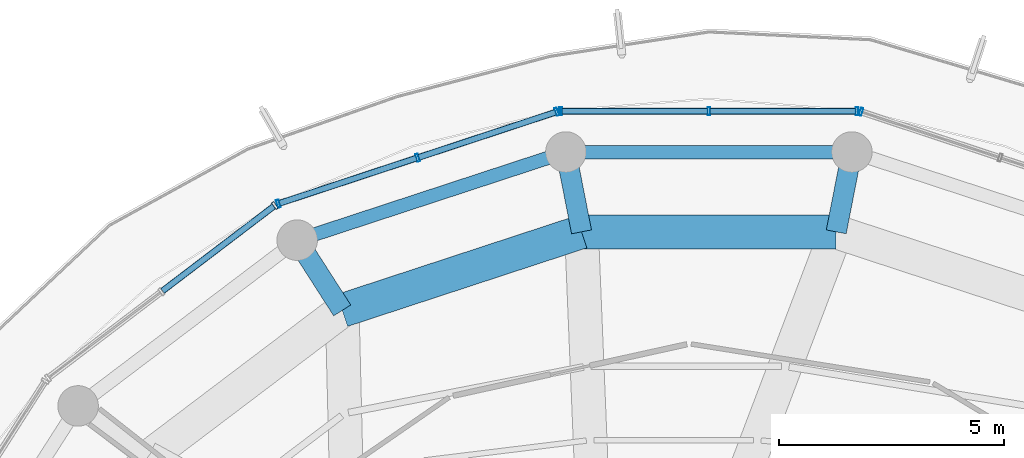
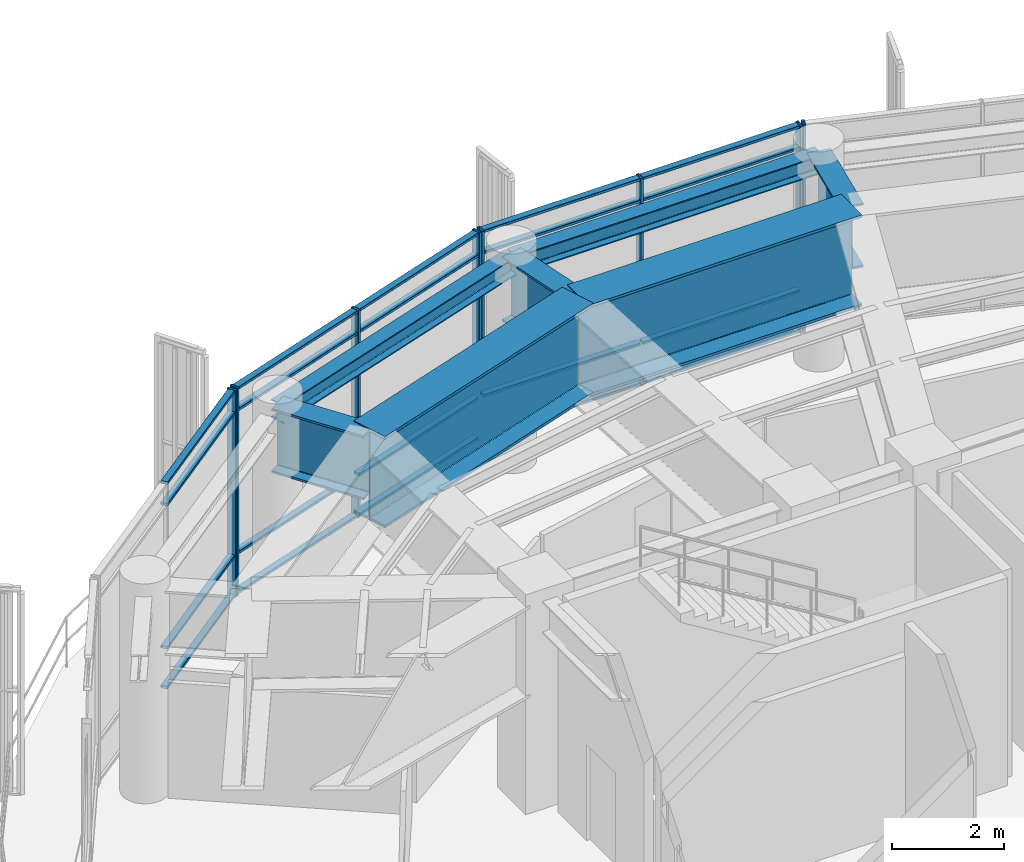
# One storey, part 14 of 23: 28 members, 7 beams, 4 elements without a shape of their own.
"""IFC4 building model written with IfcOpenShell, lengths in metres."""

from ifc_helpers import new_model, si_unit, direction, frame, origin, origin_2d, place, context, subcontext, project, spatial, hollow_rectangle, i_section, extrude, material, layer, layer_set, material_profile, profile_set, type_object, element, aggregate, save


model = new_model("IFC4")

# Units and contexts
model_context = context("Model", 3, precision=1e-05, world=origin(), true_north=direction((0.0, 1.0)))
body_context = subcontext(model_context, "Body", "Model", "MODEL_VIEW")
ifc_project = project(units=[si_unit("LENGTHUNIT", "METRE"), si_unit("AREAUNIT", "SQUARE_METRE"), si_unit("VOLUMEUNIT", "CUBIC_METRE"), si_unit("PLANEANGLEUNIT", "RADIAN"), si_unit("MASSUNIT", "GRAM", prefix="KILO")], contexts=[model_context])

# Site, building, storey
site_placement = place(None, origin())
site = spatial("IfcSite", under=ifc_project, at=site_placement, CompositionType="ELEMENT")
building_placement = place(site_placement, origin())
building = spatial("IfcBuilding", under=site, at=building_placement, Name="Kelanora Arch Commons", CompositionType="ELEMENT")
storey_placement = place(building_placement, frame((0.0, 0.0, 293.699951171875)))
storey = spatial("IfcBuildingStorey", under=building, at=storey_placement, Name="L75", CompositionType="ELEMENT", Elevation=293.699951171875)

# Beams
ifc_material_1 = material(Name="Steel S355", Category="steel")
ifc_material_profile_1 = material_profile(ifc_material_1, i_section(OverallWidth=0.449951171875, OverallDepth=1.39990234375, WebThickness=0.028076171875, FlangeThickness=0.044921875, FilletRadius=0.02392578125, at=origin_2d()), Name="PG1400x450")
ifc_profile_set_1 = profile_set([ifc_material_profile_1], Name="Steel S355")
beam_type_1 = type_object("IfcBeamType", Name="BM-MAST-GRIL", PredefinedType="USERDEFINED", material=ifc_profile_set_1)
for number, where, z_axis, x_axis, name in (
    (1, (76.826904296875, 72.45703125, 3.820068359375), (0.192345549557, 0.981327259158, 0.0), (-0.981327259158, 0.192345549557, 0.0), "Radial Floor Girder BR-08 L75"),
    (2, (71.173095703125, 72.45703125, 3.820068359375), (-0.192345549557, 0.981327259158, 0.0), (-0.981327259158, -0.192345549557, 0.0), "Radial Floor Girder BR-10 L75"),
):
    element("IfcBeam", number, at=place(storey_placement, frame(where, z_axis=z_axis, x_axis=x_axis)), inside=storey, type_object=beam_type_1, Name=name, ObjectType="TRANSFER_GIRDER", PredefinedType="USERDEFINED", context=body_context, shape_type="SweptSolid", body=[
        extrude(i_section(OverallWidth=0.449951171875, OverallDepth=1.39990234375, WebThickness=0.028076171875, FlangeThickness=0.044921875, FilletRadius=0.02392578125, at=origin_2d()), origin(), (0.0, 0.0, 1.0), 1.80615234375),
    ])
beam_1_placement = place(storey_placement, frame((65.860107421875, 70.71337890625, 3.820068359375), z_axis=(-0.539951170106, 0.841696343048, 0.0), x_axis=(-0.841696343048, -0.539951170106, 0.0)))
element("IfcBeam", 3, at=beam_1_placement, inside=storey, type_object=beam_type_1, Name="Radial Floor Girder BR-12 L75", ObjectType="TRANSFER_GIRDER", PredefinedType="USERDEFINED", context=body_context, shape_type="SweptSolid", body=[
    extrude(i_section(OverallWidth=0.449951171875, OverallDepth=1.39990234375, WebThickness=0.028076171875, FlangeThickness=0.044921875, FilletRadius=0.02392578125, at=origin_2d()), origin(), (0.0, 0.0, 1.0), 1.85205078125),
])
ifc_material_profile_2 = material_profile(ifc_material_1, i_section(OverallWidth=0.300048828125, OverallDepth=0.39990234375, WebThickness=0.013427734375, FlangeThickness=0.02392578125, FilletRadius=0.027099609375, at=origin_2d()), Name="HEB400")
ifc_profile_set_2 = profile_set([ifc_material_profile_2], Name="Steel S355")
beam_type_2 = type_object("IfcBeamType", Name="BM-SPN-Z4", PredefinedType="SPANDREL", material=ifc_profile_set_2)
beam_2_placement = place(storey_placement, frame((77.17431640625, 74.2294921875, 4.320068359375), z_axis=(-1.0, 0.0, 0.0), x_axis=(0.0, -1.0, 0.0)))
element("IfcBeam", 4, at=beam_2_placement, inside=storey, type_object=beam_type_2, Name="Perimeter Spandrel Beam BS-08 L75", PredefinedType="SPANDREL", context=body_context, shape_type="SweptSolid", body=[
    extrude(i_section(OverallWidth=0.300048828125, OverallDepth=0.39990234375, WebThickness=0.013427734375, FlangeThickness=0.02392578125, FilletRadius=0.027099609375, at=origin_2d()), origin(), (0.0, 0.0, 1.0), 6.3486328125),
])
beam_3_placement = place(storey_placement, frame((70.82568359375, 74.2294921875, 4.320068359375), z_axis=(-0.950165923039, -0.311744636996, 0.0), x_axis=(0.311744636996, -0.950165923039, 0.0)))
element("IfcBeam", 5, at=beam_3_placement, inside=storey, type_object=beam_type_2, Name="Perimeter Spandrel Beam BS-10 L75", PredefinedType="SPANDREL", context=body_context, shape_type="SweptSolid", body=[
    extrude(i_section(OverallWidth=0.300048828125, OverallDepth=0.39990234375, WebThickness=0.013427734375, FlangeThickness=0.02392578125, FilletRadius=0.027099609375, at=origin_2d()), origin(), (0.0, 0.0, 1.0), 6.278564453125),
])
ifc_material_profile_3 = material_profile(ifc_material_1, i_section(OverallWidth=0.75, OverallDepth=2.0, WebThickness=0.034912109375, FlangeThickness=0.06005859375, FilletRadius=0.028076171875, at=origin_2d()), Name="PG2000x750")
ifc_profile_set_3 = profile_set([ifc_material_profile_3], Name="Steel S355")
beam_type_3 = type_object("IfcBeamType", Name="BM-XFER-SET", PredefinedType="USERDEFINED", material=ifc_profile_set_3)
beam_4_placement = place(storey_placement, frame((76.826904296875, 72.45703125, 3.5400390625), z_axis=(-1.0, 0.0, 0.0), x_axis=(0.0, -1.0, 0.0)))
element("IfcBeam", 6, at=beam_4_placement, inside=storey, type_object=beam_type_3, Name="Setback Inner Transfer Ring BSI-08 L75", ObjectType="TRANSFER_GIRDER", PredefinedType="USERDEFINED", context=body_context, shape_type="SweptSolid", body=[
    extrude(i_section(OverallWidth=0.75, OverallDepth=2.0, WebThickness=0.034912109375, FlangeThickness=0.06005859375, FilletRadius=0.028076171875, at=origin_2d()), origin(), (0.0, 0.0, 1.0), 5.65380859375),
])
beam_5_placement = place(storey_placement, frame((71.173095703125, 72.45703125, 3.5400390625), z_axis=(-0.950140083071, -0.311823383572, 0.0), x_axis=(0.311823383572, -0.950140083071, 0.0)))
element("IfcBeam", 7, at=beam_5_placement, inside=storey, type_object=beam_type_3, Name="Setback Inner Transfer Ring BSI-10 L75", ObjectType="TRANSFER_GIRDER", PredefinedType="USERDEFINED", context=body_context, shape_type="SweptSolid", body=[
    extrude(i_section(OverallWidth=0.75, OverallDepth=2.0, WebThickness=0.034912109375, FlangeThickness=0.06005859375, FilletRadius=0.028076171875, at=origin_2d()), origin(), (0.0, 0.0, 1.0), 5.591796875),
])

# Curtain wall, member
ifc_material_2 = material(Name="Terracotta ceramic-fritted low-E glass and aluminium", Category="masonry")
ifc_layer = layer(ifc_material_2, 0.22509765625)
ifc_layer_set = layer_set([ifc_layer], Name="Terracotta ceramic-fritted low-E glass and aluminium")
curtain_wall_type = type_object("IfcCurtainWallType", Name="CW-SYS-05", PredefinedType="NOTDEFINED", material=ifc_layer_set)
curtain_wall_1_placement = place(storey_placement, origin())
curtain_wall_1 = element("IfcCurtainWall", 8, at=curtain_wall_1_placement, inside=storey, type_object=curtain_wall_type, Name="Unitised Curtain Wall L75-B03", PredefinedType="NOTDEFINED")
ifc_material_3 = material(Name="Powder-coated aluminium terracotta", Category="masonry")
ifc_material_profile_4 = material_profile(ifc_material_3, hollow_rectangle(XDim=0.179931640625, YDim=0.06005859375, WallThickness=0.0048828125, InnerFilletRadius=0.0048828125, OuterFilletRadius=0.010009765625, at=origin_2d()), Name="CWM180x60")
ifc_profile_set_4 = profile_set([ifc_material_profile_4], Name="Powder-coated aluminium terracotta")
member_type_1 = type_object("IfcMemberType", Name="CWM-HVY", PredefinedType="MULLION", material=ifc_profile_set_4)
member_1_placement = place(storey_placement, frame((77.376708984375, 75.12158203125, 0.0), z_axis=(0.0, 0.0, 1.0), x_axis=(-0.313252785344, -0.949669780752, 0.0)))
member_1 = element("IfcMember", 9, at=member_1_placement, type_object=member_type_1, Name="CW-05 mullion 3", PredefinedType="MULLION", context=body_context, shape_type="SweptSolid", body=[
    extrude(hollow_rectangle(XDim=0.179931640625, YDim=0.06005859375, WallThickness=0.0048828125, InnerFilletRadius=0.0048828125, OuterFilletRadius=0.010009765625, at=origin_2d()), origin(), (0.0, 0.0, 1.0), 4.525146484375),
])
aggregate(curtain_wall_1, [member_1])

# Curtain wall, members
curtain_wall_2_placement = place(storey_placement, origin())
curtain_wall_2 = element("IfcCurtainWall", 10, at=curtain_wall_2_placement, inside=storey, type_object=curtain_wall_type, Name="Unitised Curtain Wall L75-B04", PredefinedType="NOTDEFINED")
member_2_placement = place(storey_placement, frame((77.2890625, 75.1357421875, 0.0), z_axis=(0.0, 0.0, 1.0), x_axis=(0.0, -1.0, 0.0)))
member_2 = element("IfcMember", 11, at=member_2_placement, type_object=member_type_1, Name="CW-05 mullion 1", PredefinedType="MULLION", context=body_context, shape_type="SweptSolid", body=[
    extrude(hollow_rectangle(XDim=0.179931640625, YDim=0.06005859375, WallThickness=0.0048828125, InnerFilletRadius=0.0048828125, OuterFilletRadius=0.010009765625, at=origin_2d()), origin(), (0.0, 0.0, 1.0), 4.525146484375),
])
member_3_placement = place(storey_placement, frame((74.0, 75.1357421875, 0.0), z_axis=(0.0, 0.0, 1.0), x_axis=(0.0, -1.0, 0.0)))
member_3 = element("IfcMember", 12, at=member_3_placement, type_object=member_type_1, Name="CW-05 mullion 2", PredefinedType="MULLION", context=body_context, shape_type="SweptSolid", body=[
    extrude(hollow_rectangle(XDim=0.179931640625, YDim=0.06005859375, WallThickness=0.0048828125, InnerFilletRadius=0.0048828125, OuterFilletRadius=0.010009765625, at=origin_2d()), origin(), (0.0, 0.0, 1.0), 4.525146484375),
])
member_4_placement = place(storey_placement, frame((70.7109375, 75.1357421875, 0.0), z_axis=(0.0, 0.0, 1.0), x_axis=(0.0, -1.0, 0.0)))
member_4 = element("IfcMember", 13, at=member_4_placement, type_object=member_type_1, Name="CW-05 mullion 3", PredefinedType="MULLION", context=body_context, shape_type="SweptSolid", body=[
    extrude(hollow_rectangle(XDim=0.179931640625, YDim=0.06005859375, WallThickness=0.0048828125, InnerFilletRadius=0.0048828125, OuterFilletRadius=0.010009765625, at=origin_2d()), origin(), (0.0, 0.0, 1.0), 4.525146484375),
])

curtain_wall_3_placement = place(storey_placement, origin())
curtain_wall_3 = element("IfcCurtainWall", 14, at=curtain_wall_3_placement, inside=storey, type_object=curtain_wall_type, Name="Unitised Curtain Wall L75-B05", PredefinedType="NOTDEFINED")
member_5_placement = place(storey_placement, frame((70.623291015625, 75.12158203125, 0.0), z_axis=(0.0, 0.0, 1.0), x_axis=(0.313252785344, -0.949669780752, 0.0)))
member_5 = element("IfcMember", 15, at=member_5_placement, type_object=member_type_1, Name="CW-05 mullion 1", PredefinedType="MULLION", context=body_context, shape_type="SweptSolid", body=[
    extrude(hollow_rectangle(XDim=0.179931640625, YDim=0.06005859375, WallThickness=0.0048828125, InnerFilletRadius=0.0048828125, OuterFilletRadius=0.010009765625, at=origin_2d()), origin(), (0.0, 0.0, 1.0), 4.525146484375),
])
member_6_placement = place(storey_placement, frame((67.532958984375, 74.102294921875, 0.0), z_axis=(0.0, 0.0, 1.0), x_axis=(0.313252785344, -0.949669780752, 0.0)))
member_6 = element("IfcMember", 16, at=member_6_placement, type_object=member_type_1, Name="CW-05 mullion 2", PredefinedType="MULLION", context=body_context, shape_type="SweptSolid", body=[
    extrude(hollow_rectangle(XDim=0.179931640625, YDim=0.06005859375, WallThickness=0.0048828125, InnerFilletRadius=0.0048828125, OuterFilletRadius=0.010009765625, at=origin_2d()), origin(), (0.0, 0.0, 1.0), 4.525146484375),
])
member_7_placement = place(storey_placement, frame((64.442626953125, 73.0830078125, 0.0), z_axis=(0.0, 0.0, 1.0), x_axis=(0.313252785344, -0.949669780752, 0.0)))
member_7 = element("IfcMember", 17, at=member_7_placement, type_object=member_type_1, Name="CW-05 mullion 3", PredefinedType="MULLION", context=body_context, shape_type="SweptSolid", body=[
    extrude(hollow_rectangle(XDim=0.179931640625, YDim=0.06005859375, WallThickness=0.0048828125, InnerFilletRadius=0.0048828125, OuterFilletRadius=0.010009765625, at=origin_2d()), origin(), (0.0, 0.0, 1.0), 4.525146484375),
])

# Curtain wall, member
curtain_wall_4_placement = place(storey_placement, origin())
curtain_wall_4 = element("IfcCurtainWall", 18, at=curtain_wall_4_placement, inside=storey, type_object=curtain_wall_type, Name="Unitised Curtain Wall L75-B06", PredefinedType="NOTDEFINED")
member_8_placement = place(storey_placement, frame((64.3642578125, 73.04150390625, 0.0), z_axis=(0.0, 0.0, 1.0), x_axis=(0.605284905243, -0.796008909174, 0.0)))
member_8 = element("IfcMember", 19, at=member_8_placement, type_object=member_type_1, Name="CW-05 mullion 1", PredefinedType="MULLION", context=body_context, shape_type="SweptSolid", body=[
    extrude(hollow_rectangle(XDim=0.179931640625, YDim=0.06005859375, WallThickness=0.0048828125, InnerFilletRadius=0.0048828125, OuterFilletRadius=0.010009765625, at=origin_2d()), origin(), (0.0, 0.0, 1.0), 4.525146484375),
])

# Member
ifc_material_profile_5 = material_profile(ifc_material_3, hollow_rectangle(XDim=0.139892578125, YDim=0.06005859375, WallThickness=0.0048828125, InnerFilletRadius=0.0048828125, OuterFilletRadius=0.010009765625, at=origin_2d()), Name="CWT140x60")
ifc_profile_set_5 = profile_set([ifc_material_profile_5], Name="Powder-coated aluminium terracotta")
member_type_2 = type_object("IfcMemberType", Name="CWT-HVY", PredefinedType="USERDEFINED", material=ifc_profile_set_5)
member_9_placement = place(storey_placement, frame((77.259033203125, 75.1357421875, 0.030029296875), z_axis=(-1.0, 0.0, 0.0), x_axis=(0.0, -1.0, 0.0)))
member_9 = element("IfcMember", 20, at=member_9_placement, type_object=member_type_2, Name="CW-05 transom 1.1", ObjectType="TRANSOM", PredefinedType="USERDEFINED", context=body_context, shape_type="SweptSolid", body=[
    extrude(hollow_rectangle(XDim=0.139892578125, YDim=0.06005859375, WallThickness=0.0048828125, InnerFilletRadius=0.0048828125, OuterFilletRadius=0.010009765625, at=origin_2d()), origin(), (0.0, 0.0, 1.0), 3.22900390625),
])

member_10_placement = place(storey_placement, frame((77.259033203125, 75.1357421875, 0.900146484375), z_axis=(-1.0, 0.0, 0.0), x_axis=(0.0, -1.0, 0.0)))
member_10 = element("IfcMember", 21, at=member_10_placement, type_object=member_type_2, Name="CW-05 transom 1.2", ObjectType="TRANSOM", PredefinedType="USERDEFINED", context=body_context, shape_type="SweptSolid", body=[
    extrude(hollow_rectangle(XDim=0.139892578125, YDim=0.06005859375, WallThickness=0.0048828125, InnerFilletRadius=0.0048828125, OuterFilletRadius=0.010009765625, at=origin_2d()), origin(), (0.0, 0.0, 1.0), 3.22900390625),
])

member_11_placement = place(storey_placement, frame((77.259033203125, 75.1357421875, 4.025146484375), z_axis=(-1.0, 0.0, 0.0), x_axis=(0.0, -1.0, 0.0)))
member_11 = element("IfcMember", 22, at=member_11_placement, type_object=member_type_2, Name="CW-05 transom 1.3", ObjectType="TRANSOM", PredefinedType="USERDEFINED", context=body_context, shape_type="SweptSolid", body=[
    extrude(hollow_rectangle(XDim=0.139892578125, YDim=0.06005859375, WallThickness=0.0048828125, InnerFilletRadius=0.0048828125, OuterFilletRadius=0.010009765625, at=origin_2d()), origin(), (0.0, 0.0, 1.0), 3.22900390625),
])

member_12_placement = place(storey_placement, frame((77.259033203125, 75.1357421875, 4.4951171875), z_axis=(-1.0, 0.0, 0.0), x_axis=(0.0, -1.0, 0.0)))
member_12 = element("IfcMember", 23, at=member_12_placement, type_object=member_type_2, Name="CW-05 transom 1.4", ObjectType="TRANSOM", PredefinedType="USERDEFINED", context=body_context, shape_type="SweptSolid", body=[
    extrude(hollow_rectangle(XDim=0.139892578125, YDim=0.06005859375, WallThickness=0.0048828125, InnerFilletRadius=0.0048828125, OuterFilletRadius=0.010009765625, at=origin_2d()), origin(), (0.0, 0.0, 1.0), 3.22900390625),
])

member_13_placement = place(storey_placement, frame((73.969970703125, 75.1357421875, 0.030029296875), z_axis=(-1.0, 0.0, 0.0), x_axis=(0.0, -1.0, 0.0)))
member_13 = element("IfcMember", 24, at=member_13_placement, type_object=member_type_2, Name="CW-05 transom 2.1", ObjectType="TRANSOM", PredefinedType="USERDEFINED", context=body_context, shape_type="SweptSolid", body=[
    extrude(hollow_rectangle(XDim=0.139892578125, YDim=0.06005859375, WallThickness=0.0048828125, InnerFilletRadius=0.0048828125, OuterFilletRadius=0.010009765625, at=origin_2d()), origin(), (0.0, 0.0, 1.0), 3.22900390625),
])

member_14_placement = place(storey_placement, frame((73.969970703125, 75.1357421875, 0.900146484375), z_axis=(-1.0, 0.0, 0.0), x_axis=(0.0, -1.0, 0.0)))
member_14 = element("IfcMember", 25, at=member_14_placement, type_object=member_type_2, Name="CW-05 transom 2.2", ObjectType="TRANSOM", PredefinedType="USERDEFINED", context=body_context, shape_type="SweptSolid", body=[
    extrude(hollow_rectangle(XDim=0.139892578125, YDim=0.06005859375, WallThickness=0.0048828125, InnerFilletRadius=0.0048828125, OuterFilletRadius=0.010009765625, at=origin_2d()), origin(), (0.0, 0.0, 1.0), 3.22900390625),
])

member_15_placement = place(storey_placement, frame((73.969970703125, 75.1357421875, 4.025146484375), z_axis=(-1.0, 0.0, 0.0), x_axis=(0.0, -1.0, 0.0)))
member_15 = element("IfcMember", 26, at=member_15_placement, type_object=member_type_2, Name="CW-05 transom 2.3", ObjectType="TRANSOM", PredefinedType="USERDEFINED", context=body_context, shape_type="SweptSolid", body=[
    extrude(hollow_rectangle(XDim=0.139892578125, YDim=0.06005859375, WallThickness=0.0048828125, InnerFilletRadius=0.0048828125, OuterFilletRadius=0.010009765625, at=origin_2d()), origin(), (0.0, 0.0, 1.0), 3.22900390625),
])

member_16_placement = place(storey_placement, frame((73.969970703125, 75.1357421875, 4.4951171875), z_axis=(-1.0, 0.0, 0.0), x_axis=(0.0, -1.0, 0.0)))
member_16 = element("IfcMember", 27, at=member_16_placement, type_object=member_type_2, Name="CW-05 transom 2.4", ObjectType="TRANSOM", PredefinedType="USERDEFINED", context=body_context, shape_type="SweptSolid", body=[
    extrude(hollow_rectangle(XDim=0.139892578125, YDim=0.06005859375, WallThickness=0.0048828125, InnerFilletRadius=0.0048828125, OuterFilletRadius=0.010009765625, at=origin_2d()), origin(), (0.0, 0.0, 1.0), 3.22900390625),
])

aggregate(curtain_wall_2, [member_2, member_3, member_4, member_9, member_10, member_11, member_12, member_13, member_14, member_15, member_16])

member_17_placement = place(storey_placement, frame((70.5947265625, 75.1123046875, 0.030029296875), z_axis=(-0.949649574195, -0.313314037719, 0.0), x_axis=(0.313314037719, -0.949649574195, 0.0)))
member_17 = element("IfcMember", 28, at=member_17_placement, type_object=member_type_2, Name="CW-05 transom 1.1", ObjectType="TRANSOM", PredefinedType="USERDEFINED", context=body_context, shape_type="SweptSolid", body=[
    extrude(hollow_rectangle(XDim=0.139892578125, YDim=0.06005859375, WallThickness=0.0048828125, InnerFilletRadius=0.0048828125, OuterFilletRadius=0.010009765625, at=origin_2d()), origin(), (0.0, 0.0, 1.0), 3.194091796875),
])

member_18_placement = place(storey_placement, frame((70.5947265625, 75.1123046875, 0.900146484375), z_axis=(-0.949649574195, -0.313314037719, 0.0), x_axis=(0.313314037719, -0.949649574195, 0.0)))
member_18 = element("IfcMember", 29, at=member_18_placement, type_object=member_type_2, Name="CW-05 transom 1.2", ObjectType="TRANSOM", PredefinedType="USERDEFINED", context=body_context, shape_type="SweptSolid", body=[
    extrude(hollow_rectangle(XDim=0.139892578125, YDim=0.06005859375, WallThickness=0.0048828125, InnerFilletRadius=0.0048828125, OuterFilletRadius=0.010009765625, at=origin_2d()), origin(), (0.0, 0.0, 1.0), 3.194091796875),
])

member_19_placement = place(storey_placement, frame((70.5947265625, 75.1123046875, 4.025146484375), z_axis=(-0.949649574195, -0.313314037719, 0.0), x_axis=(0.313314037719, -0.949649574195, 0.0)))
member_19 = element("IfcMember", 30, at=member_19_placement, type_object=member_type_2, Name="CW-05 transom 1.3", ObjectType="TRANSOM", PredefinedType="USERDEFINED", context=body_context, shape_type="SweptSolid", body=[
    extrude(hollow_rectangle(XDim=0.139892578125, YDim=0.06005859375, WallThickness=0.0048828125, InnerFilletRadius=0.0048828125, OuterFilletRadius=0.010009765625, at=origin_2d()), origin(), (0.0, 0.0, 1.0), 3.194091796875),
])

member_20_placement = place(storey_placement, frame((70.5947265625, 75.1123046875, 4.4951171875), z_axis=(-0.949649574195, -0.313314037719, 0.0), x_axis=(0.313314037719, -0.949649574195, 0.0)))
member_20 = element("IfcMember", 31, at=member_20_placement, type_object=member_type_2, Name="CW-05 transom 1.4", ObjectType="TRANSOM", PredefinedType="USERDEFINED", context=body_context, shape_type="SweptSolid", body=[
    extrude(hollow_rectangle(XDim=0.139892578125, YDim=0.06005859375, WallThickness=0.0048828125, InnerFilletRadius=0.0048828125, OuterFilletRadius=0.010009765625, at=origin_2d()), origin(), (0.0, 0.0, 1.0), 3.194091796875),
])

member_21_placement = place(storey_placement, frame((67.50439453125, 74.0927734375, 0.030029296875), z_axis=(-0.949672315102, -0.313245102003, 0.0), x_axis=(0.313245102003, -0.949672315102, 0.0)))
member_21 = element("IfcMember", 32, at=member_21_placement, type_object=member_type_2, Name="CW-05 transom 2.1", ObjectType="TRANSOM", PredefinedType="USERDEFINED", context=body_context, shape_type="SweptSolid", body=[
    extrude(hollow_rectangle(XDim=0.139892578125, YDim=0.06005859375, WallThickness=0.0048828125, InnerFilletRadius=0.0048828125, OuterFilletRadius=0.010009765625, at=origin_2d()), origin(), (0.0, 0.0, 1.0), 3.19384765625),
])

member_22_placement = place(storey_placement, frame((67.50439453125, 74.0927734375, 0.900146484375), z_axis=(-0.949672315102, -0.313245102003, 0.0), x_axis=(0.313245102003, -0.949672315102, 0.0)))
member_22 = element("IfcMember", 33, at=member_22_placement, type_object=member_type_2, Name="CW-05 transom 2.2", ObjectType="TRANSOM", PredefinedType="USERDEFINED", context=body_context, shape_type="SweptSolid", body=[
    extrude(hollow_rectangle(XDim=0.139892578125, YDim=0.06005859375, WallThickness=0.0048828125, InnerFilletRadius=0.0048828125, OuterFilletRadius=0.010009765625, at=origin_2d()), origin(), (0.0, 0.0, 1.0), 3.19384765625),
])

member_23_placement = place(storey_placement, frame((67.50439453125, 74.0927734375, 4.025146484375), z_axis=(-0.949672315102, -0.313245102003, 0.0), x_axis=(0.313245102003, -0.949672315102, 0.0)))
member_23 = element("IfcMember", 34, at=member_23_placement, type_object=member_type_2, Name="CW-05 transom 2.3", ObjectType="TRANSOM", PredefinedType="USERDEFINED", context=body_context, shape_type="SweptSolid", body=[
    extrude(hollow_rectangle(XDim=0.139892578125, YDim=0.06005859375, WallThickness=0.0048828125, InnerFilletRadius=0.0048828125, OuterFilletRadius=0.010009765625, at=origin_2d()), origin(), (0.0, 0.0, 1.0), 3.19384765625),
])

member_24_placement = place(storey_placement, frame((67.50439453125, 74.0927734375, 4.4951171875), z_axis=(-0.949672315102, -0.313245102003, 0.0), x_axis=(0.313245102003, -0.949672315102, 0.0)))
member_24 = element("IfcMember", 35, at=member_24_placement, type_object=member_type_2, Name="CW-05 transom 2.4", ObjectType="TRANSOM", PredefinedType="USERDEFINED", context=body_context, shape_type="SweptSolid", body=[
    extrude(hollow_rectangle(XDim=0.139892578125, YDim=0.06005859375, WallThickness=0.0048828125, InnerFilletRadius=0.0048828125, OuterFilletRadius=0.010009765625, at=origin_2d()), origin(), (0.0, 0.0, 1.0), 3.19384765625),
])

aggregate(curtain_wall_3, [member_5, member_6, member_7, member_17, member_18, member_19, member_20, member_21, member_22, member_23, member_24])

member_25_placement = place(storey_placement, frame((64.34033203125, 73.0234375, 0.030029296875), z_axis=(-0.795989358686, -0.605310615188, 0.0), x_axis=(0.605310615188, -0.795989358686, 0.0)))
member_25 = element("IfcMember", 36, at=member_25_placement, type_object=member_type_2, Name="CW-05 transom 1.1", ObjectType="TRANSOM", PredefinedType="USERDEFINED", context=body_context, shape_type="SweptSolid", body=[
    extrude(hollow_rectangle(XDim=0.139892578125, YDim=0.06005859375, WallThickness=0.0048828125, InnerFilletRadius=0.0048828125, OuterFilletRadius=0.010009765625, at=origin_2d()), origin(), (0.0, 0.0, 1.0), 3.103515625),
])

member_26_placement = place(storey_placement, frame((64.34033203125, 73.0234375, 0.900146484375), z_axis=(-0.795989358686, -0.605310615188, 0.0), x_axis=(0.605310615188, -0.795989358686, 0.0)))
member_26 = element("IfcMember", 37, at=member_26_placement, type_object=member_type_2, Name="CW-05 transom 1.2", ObjectType="TRANSOM", PredefinedType="USERDEFINED", context=body_context, shape_type="SweptSolid", body=[
    extrude(hollow_rectangle(XDim=0.139892578125, YDim=0.06005859375, WallThickness=0.0048828125, InnerFilletRadius=0.0048828125, OuterFilletRadius=0.010009765625, at=origin_2d()), origin(), (0.0, 0.0, 1.0), 3.103515625),
])

member_27_placement = place(storey_placement, frame((64.34033203125, 73.0234375, 4.025146484375), z_axis=(-0.795989358686, -0.605310615188, 0.0), x_axis=(0.605310615188, -0.795989358686, 0.0)))
member_27 = element("IfcMember", 38, at=member_27_placement, type_object=member_type_2, Name="CW-05 transom 1.3", ObjectType="TRANSOM", PredefinedType="USERDEFINED", context=body_context, shape_type="SweptSolid", body=[
    extrude(hollow_rectangle(XDim=0.139892578125, YDim=0.06005859375, WallThickness=0.0048828125, InnerFilletRadius=0.0048828125, OuterFilletRadius=0.010009765625, at=origin_2d()), origin(), (0.0, 0.0, 1.0), 3.103515625),
])

member_28_placement = place(storey_placement, frame((64.34033203125, 73.0234375, 4.4951171875), z_axis=(-0.795989358686, -0.605310615188, 0.0), x_axis=(0.605310615188, -0.795989358686, 0.0)))
member_28 = element("IfcMember", 39, at=member_28_placement, type_object=member_type_2, Name="CW-05 transom 1.4", ObjectType="TRANSOM", PredefinedType="USERDEFINED", context=body_context, shape_type="SweptSolid", body=[
    extrude(hollow_rectangle(XDim=0.139892578125, YDim=0.06005859375, WallThickness=0.0048828125, InnerFilletRadius=0.0048828125, OuterFilletRadius=0.010009765625, at=origin_2d()), origin(), (0.0, 0.0, 1.0), 3.103515625),
])

aggregate(curtain_wall_4, [member_8, member_25, member_26, member_27, member_28])

save(model, "model.ifc")
